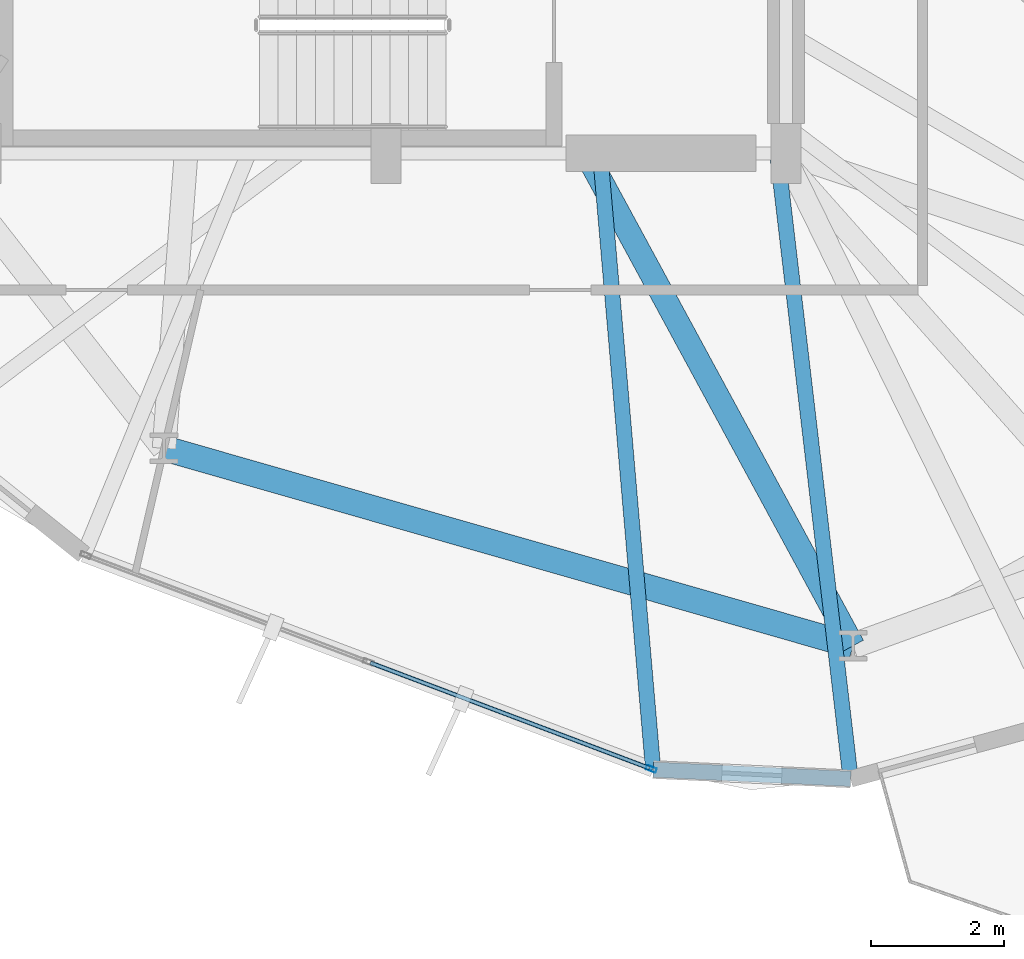
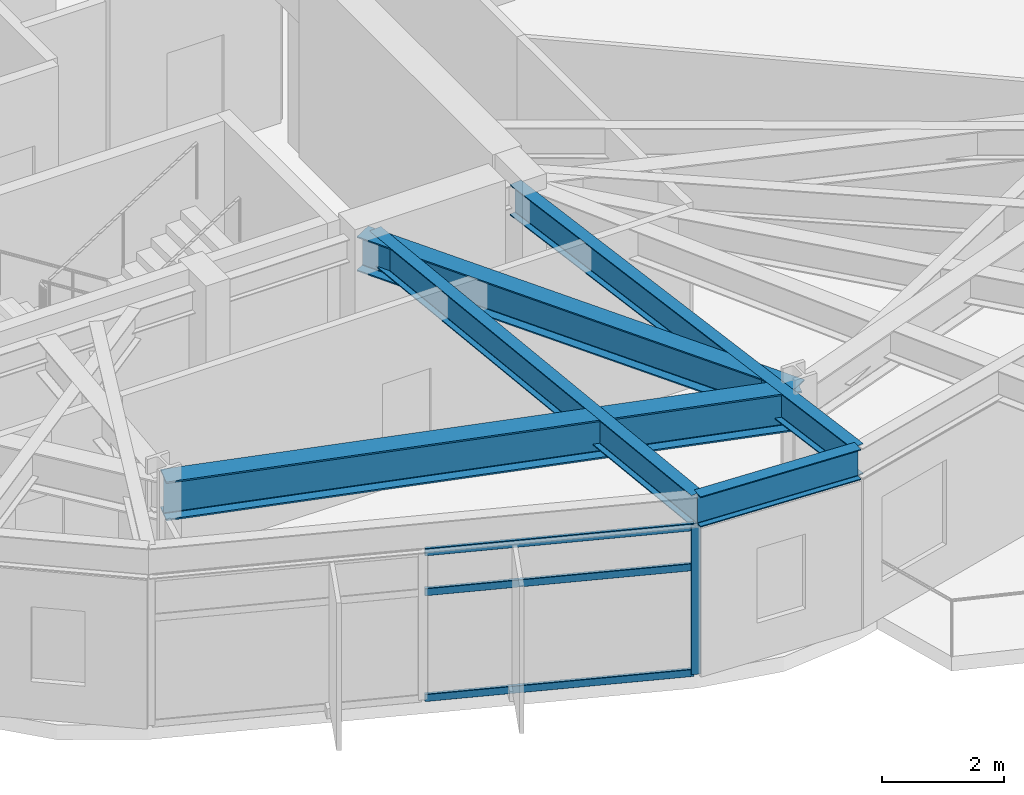
# One storey, part 4 of 25: 5 beams, 4 members, 1 element without a shape of its own.
"""IFC4 building model written with IfcOpenShell, lengths in metres."""

from ifc_helpers import new_model, si_unit, direction, frame, origin, origin_2d, place, context, subcontext, project, spatial, hollow_rectangle, i_section, extrude, material, layer, layer_set, material_profile, profile_set, type_object, element, aggregate, save


model = new_model("IFC4")

# Units and contexts
model_context = context("Model", 3, precision=1e-05, world=origin(), true_north=direction((0.0, 1.0)))
body_context = subcontext(model_context, "Body", "Model", "MODEL_VIEW")
ifc_project = project(units=[si_unit("LENGTHUNIT", "METRE"), si_unit("AREAUNIT", "SQUARE_METRE"), si_unit("VOLUMEUNIT", "CUBIC_METRE"), si_unit("PLANEANGLEUNIT", "RADIAN"), si_unit("MASSUNIT", "GRAM", prefix="KILO")], contexts=[model_context])

# Site, building, storey
site_placement = place(None, origin())
site = spatial("IfcSite", under=ifc_project, at=site_placement, CompositionType="ELEMENT")
building_placement = place(site_placement, origin())
building = spatial("IfcBuilding", under=site, at=building_placement, Name="Soratama Intermodal Tower", CompositionType="ELEMENT")
storey_placement = place(building_placement, frame((0.0, 0.0, 87.39990234375)))
storey = spatial("IfcBuildingStorey", under=building, at=storey_placement, Name="L20", CompositionType="ELEMENT", Elevation=87.39990234375)

# Beams
ifc_material_1 = material(Name="Structural steel ASTM A992 Grade 50", Category="steel")
ifc_material_profile_1 = material_profile(ifc_material_1, i_section(OverallWidth=0.35498046875, OverallDepth=0.695068359375, WebThickness=0.015380859375, FlangeThickness=0.02490234375, FilletRadius=0.01611328125, at=origin_2d()), Name="W27X146")
ifc_profile_set_1 = profile_set([ifc_material_profile_1], Name="Structural steel ASTM A992 Grade 50")
beam_type_1 = type_object("IfcBeamType", Name="BM-RING-W27X146", PredefinedType="BEAM", material=ifc_profile_set_1)
beam_1_placement = place(storey_placement, frame((41.60009765625, 15.0, 3.252685546875), z_axis=(0.476697610532, -0.879067339919, 0.0), x_axis=(0.879067339919, 0.476697610532, 0.0)))
element("IfcBeam", 1, at=beam_1_placement, inside=storey, type_object=beam_type_1, Name="BM-L20-RAD-08", PredefinedType="BEAM", context=body_context, shape_type="SweptSolid", body=[
    extrude(i_section(OverallWidth=0.35498046875, OverallDepth=0.695068359375, WebThickness=0.015380859375, FlangeThickness=0.02490234375, FilletRadius=0.01611328125, at=origin_2d()), origin(), (0.0, 0.0, 1.0), 8.405517578125),
])
ifc_material_2 = material(Name="Structural steel ASTM A992 Grade 50", Category="steel")
ifc_material_profile_2 = material_profile(ifc_material_2, i_section(OverallWidth=0.382080078125, OverallDepth=0.779052734375, WebThickness=0.01806640625, FlangeThickness=0.030029296875, FilletRadius=0.01806640625, at=origin_2d()), Name="W30X191")
ifc_profile_set_2 = profile_set([ifc_material_profile_2], Name="Structural steel ASTM A992 Grade 50")
beam_type_2 = type_object("IfcBeamType", Name="BM-RING-W30X191", PredefinedType="BEAM", material=ifc_profile_set_2)
beam_2_placement = place(storey_placement, frame((35.27001953125, 10.574951171875, 3.210693359375), z_axis=(0.961266505995, -0.275620580604, 0.0), x_axis=(0.275620580604, 0.961266505995, 0.0)))
element("IfcBeam", 2, at=beam_2_placement, inside=storey, type_object=beam_type_2, Name="BM-L20-RING-07", PredefinedType="BEAM", context=body_context, shape_type="SweptSolid", body=[
    extrude(i_section(OverallWidth=0.382080078125, OverallDepth=0.779052734375, WebThickness=0.01806640625, FlangeThickness=0.030029296875, FilletRadius=0.01806640625, at=origin_2d()), origin(), (0.0, 0.0, 1.0), 10.75341796875),
])
ifc_material_3 = material(Name="Structural steel ASTM A992 Grade 50", Category="steel")
ifc_material_profile_3 = material_profile(ifc_material_3, i_section(OverallWidth=0.22900390625, OverallDepth=0.612060546875, WebThickness=0.011962890625, FlangeThickness=0.01953125, FilletRadius=0.012939453125, at=origin_2d()), Name="W24X84")
ifc_profile_set_3 = profile_set([ifc_material_profile_3], Name="Structural steel ASTM A992 Grade 50")
beam_type_3 = type_object("IfcBeamType", Name="BM-SPN-W24X84", PredefinedType="SPANDREL", material=ifc_profile_set_3)
beam_3_placement = place(storey_placement, frame((42.60791015625, 5.75390625, 3.294189453125), z_axis=(0.99890287361, -0.046830002067, 0.0), x_axis=(0.046830002067, 0.99890287361, 0.0)))
element("IfcBeam", 3, at=beam_3_placement, inside=storey, type_object=beam_type_3, Name="BS-L20-CRN07", PredefinedType="SPANDREL", context=body_context, shape_type="SweptSolid", body=[
    extrude(i_section(OverallWidth=0.22900390625, OverallDepth=0.612060546875, WebThickness=0.011962890625, FlangeThickness=0.01953125, FilletRadius=0.012939453125, at=origin_2d()), origin(), (0.0, 0.0, 1.0), 2.96630859375),
])
ifc_material_4 = material(Name="Structural steel ASTM A992 Grade 50", Category="steel")
ifc_material_profile_4 = material_profile(ifc_material_4, i_section(OverallWidth=0.22900390625, OverallDepth=0.612060546875, WebThickness=0.011962890625, FlangeThickness=0.01953125, FilletRadius=0.012939453125, at=origin_2d()), Name="W24X84")
ifc_profile_set_4 = profile_set([ifc_material_profile_4], Name="Structural steel ASTM A992 Grade 50")
beam_type_4 = type_object("IfcBeamType", Name="BM-TIE-W24X84", PredefinedType="BEAM", material=ifc_profile_set_4)
beam_4_placement = place(storey_placement, frame((41.81591796875, 14.9599609375, 3.294189453125), z_axis=(0.085712890791, -0.996319878529, 0.0), x_axis=(0.996319878529, 0.085712890791, 0.0)))
element("IfcBeam", 4, at=beam_4_placement, inside=storey, type_object=beam_type_4, Name="BM-L20-TIE1-07", PredefinedType="BEAM", context=body_context, shape_type="SweptSolid", body=[
    extrude(i_section(OverallWidth=0.22900390625, OverallDepth=0.612060546875, WebThickness=0.011962890625, FlangeThickness=0.01953125, FilletRadius=0.012939453125, at=origin_2d()), origin(), (0.0, 0.0, 1.0), 9.239990234375),
])
beam_5_placement = place(storey_placement, frame((44.47509765625, 14.9599609375, 3.294189453125), z_axis=(0.116478417281, -0.993193223048, 0.0), x_axis=(0.993193223048, 0.116478417281, 0.0)))
element("IfcBeam", 5, at=beam_5_placement, inside=storey, type_object=beam_type_4, Name="BM-L20-TIE0-08", PredefinedType="BEAM", context=body_context, shape_type="SweptSolid", body=[
    extrude(i_section(OverallWidth=0.22900390625, OverallDepth=0.612060546875, WebThickness=0.011962890625, FlangeThickness=0.01953125, FilletRadius=0.012939453125, at=origin_2d()), origin(), (0.0, 0.0, 1.0), 9.408935546875),
])

# Curtain wall, members
ifc_material_5 = material(Name="Double-glazed aluminium curtain wall", Category="aluminium")
ifc_layer = layer(ifc_material_5, 0.159912109375)
ifc_layer_set = layer_set([ifc_layer], Name="Double-glazed aluminium curtain wall")
curtain_wall_type = type_object("IfcCurtainWallType", Name="CW-SYS-3", PredefinedType="NOTDEFINED", material=ifc_layer_set)
curtain_wall_placement = place(storey_placement, origin())
curtain_wall = element("IfcCurtainWall", 6, at=curtain_wall_placement, inside=storey, type_object=curtain_wall_type, Name="L20 Faceted Curtain Wall F07", PredefinedType="NOTDEFINED")
ifc_material_6 = material(Name="Anodised aluminium AA 6063-T6", Category="aluminium")
ifc_material_profile_5 = material_profile(ifc_material_6, hollow_rectangle(XDim=0.070068359375, YDim=0.159912109375, WallThickness=0.0048828125, InnerFilletRadius=0.0048828125, OuterFilletRadius=0.010009765625, at=origin_2d()), Name="CWM160X70X5")
ifc_profile_set_5 = profile_set([ifc_material_profile_5], Name="Anodised aluminium AA 6063-T6")
member_type_1 = type_object("IfcMemberType", Name="MT-CWM-3", PredefinedType="MULLION", material=ifc_profile_set_5)
member_1_placement = place(storey_placement, frame((42.579345703125, 5.764892578125, 0.0), z_axis=(0.0, 0.0, 1.0), x_axis=(0.353467878982, 0.935446662578, 0.0)))
member_1 = element("IfcMember", 7, at=member_1_placement, type_object=member_type_1, Name="CW-3 mullion 3", PredefinedType="MULLION", context=body_context, shape_type="SweptSolid", body=[
    extrude(hollow_rectangle(XDim=0.070068359375, YDim=0.159912109375, WallThickness=0.0048828125, InnerFilletRadius=0.0048828125, OuterFilletRadius=0.010009765625, at=origin_2d()), origin(), (0.0, 0.0, 1.0), 2.97900390625),
])
ifc_material_7 = material(Name="Anodised aluminium AA 6063-T6", Category="aluminium")
ifc_material_profile_6 = material_profile(ifc_material_7, hollow_rectangle(XDim=0.06494140625, YDim=0.14990234375, WallThickness=0.0048828125, InnerFilletRadius=0.0048828125, OuterFilletRadius=0.010009765625, at=origin_2d()), Name="CWT150X65X5")
ifc_profile_set_6 = profile_set([ifc_material_profile_6], Name="Anodised aluminium AA 6063-T6")
member_type_2 = type_object("IfcMemberType", Name="TT-CWT-1", PredefinedType="USERDEFINED", material=ifc_profile_set_6)
member_2_placement = place(storey_placement, frame((38.365478515625, 7.357177734375, 0.030029296875), z_axis=(0.93545405467, -0.353448315319, 0.0), x_axis=(0.353448315319, 0.93545405467, 0.0)))
member_2 = element("IfcMember", 8, at=member_2_placement, type_object=member_type_2, Name="CW-3 transom 2.1", ObjectType="TRANSOM", PredefinedType="USERDEFINED", context=body_context, shape_type="SweptSolid", body=[
    extrude(hollow_rectangle(XDim=0.06494140625, YDim=0.14990234375, WallThickness=0.0048828125, InnerFilletRadius=0.0048828125, OuterFilletRadius=0.010009765625, at=origin_2d()), origin(), (0.0, 0.0, 1.0), 4.474609375),
])
member_3_placement = place(storey_placement, frame((38.365478515625, 7.357177734375, 2.150146484375), z_axis=(0.93545405467, -0.353448315319, 0.0), x_axis=(0.353448315319, 0.93545405467, 0.0)))
member_3 = element("IfcMember", 9, at=member_3_placement, type_object=member_type_2, Name="CW-3 transom 2.2", ObjectType="TRANSOM", PredefinedType="USERDEFINED", context=body_context, shape_type="SweptSolid", body=[
    extrude(hollow_rectangle(XDim=0.06494140625, YDim=0.14990234375, WallThickness=0.0048828125, InnerFilletRadius=0.0048828125, OuterFilletRadius=0.010009765625, at=origin_2d()), origin(), (0.0, 0.0, 1.0), 4.474609375),
])
member_4_placement = place(storey_placement, frame((38.365478515625, 7.357177734375, 2.94921875), z_axis=(0.93545405467, -0.353448315319, 0.0), x_axis=(0.353448315319, 0.93545405467, 0.0)))
member_4 = element("IfcMember", 10, at=member_4_placement, type_object=member_type_2, Name="CW-3 transom 2.3", ObjectType="TRANSOM", PredefinedType="USERDEFINED", context=body_context, shape_type="SweptSolid", body=[
    extrude(hollow_rectangle(XDim=0.06494140625, YDim=0.14990234375, WallThickness=0.0048828125, InnerFilletRadius=0.0048828125, OuterFilletRadius=0.010009765625, at=origin_2d()), origin(), (0.0, 0.0, 1.0), 4.474609375),
])
aggregate(curtain_wall, [member_1, member_2, member_3, member_4])

save(model, "model.ifc")
